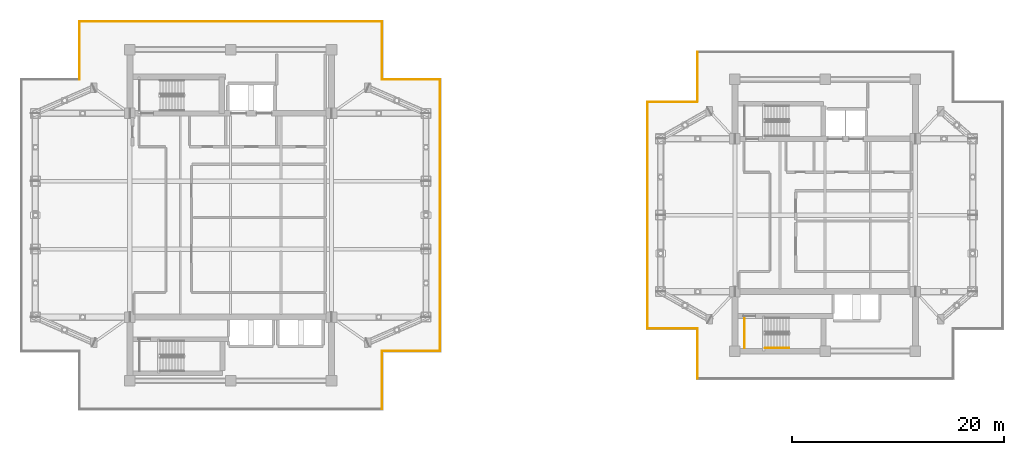
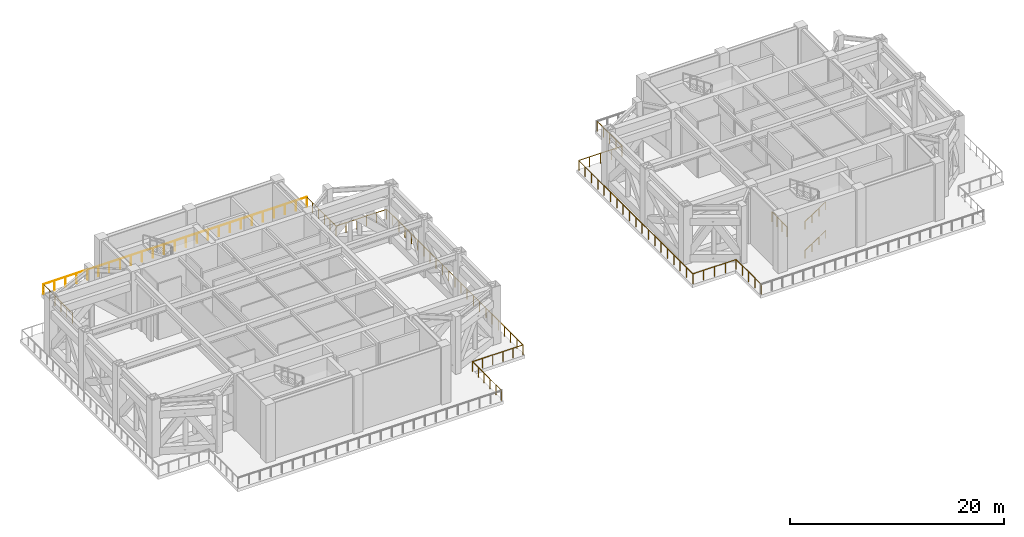
# One storey, part 15 of 18: 15 railings.
"""IFC4 building model written with IfcOpenShell, lengths in metres."""

from ifc_helpers import new_model, si_unit, direction, frame, origin, origin_2d, place, context, subcontext, project, spatial, circle, extrude, material, type_object, element, save


model = new_model("IFC4")

# Units and contexts
model_context = context("Model", 3, precision=1e-05, world=origin(), true_north=direction((0.0, 1.0)))
body_context = subcontext(model_context, "Body", "Model", "MODEL_VIEW")
ifc_project = project(units=[si_unit("LENGTHUNIT", "METRE"), si_unit("AREAUNIT", "SQUARE_METRE"), si_unit("VOLUMEUNIT", "CUBIC_METRE"), si_unit("PLANEANGLEUNIT", "RADIAN"), si_unit("MASSUNIT", "GRAM", prefix="KILO")], contexts=[model_context])

# Site, building, storey
site_placement = place(None, origin())
site = spatial("IfcSite", under=ifc_project, at=site_placement, CompositionType="ELEMENT")
building_placement = place(site_placement, origin())
building = spatial("IfcBuilding", under=site, at=building_placement, Name="Mirazonda Arch Towers", CompositionType="ELEMENT")
storey_placement = place(building_placement, frame((0.0, 0.0, 147.800048828125)))
storey = spatial("IfcBuildingStorey", under=building, at=storey_placement, Name="L42", CompositionType="ELEMENT", Elevation=147.800048828125)

# Railings
ifc_material = material(Name="Architectural Brushed Steel S355", Category="steel")
railing_type_1 = type_object("IfcRailingType", Name="GUARD-EXT-1150", PredefinedType="GUARDRAIL", material=ifc_material)
railing_1_placement = place(storey_placement, frame((34.7451171875, 9.75, 0.0)))
element("IfcRailing", 1, at=railing_1_placement, inside=storey, type_object=railing_type_1, Name="L42 T1 Open Wind-Portal Perimeter Guard 02", PredefinedType="GUARDRAIL", context=body_context, shape_type="SweptSolid", body=[
    extrude(circle(Radius=0.02392578125, at=origin_2d()), frame((0.0, 0.0, 1.1259765625), z_axis=(0.0, 1.0, 0.0), x_axis=(-1.0, 0.0, 0.0)), (0.0, 0.0, 1.0), 5.465087890625),
    extrude(circle(Radius=0.02099609375, at=origin_2d()), origin(), (0.0, 0.0, 1.0), 1.101806640625),
    extrude(circle(Radius=0.02099609375, at=origin_2d()), frame((0.0, 1.093017578125, 0.0)), (0.0, 0.0, 1.0), 1.101806640625),
    extrude(circle(Radius=0.02099609375, at=origin_2d()), frame((0.0, 2.18603515625, 0.0)), (0.0, 0.0, 1.0), 1.101806640625),
    extrude(circle(Radius=0.02099609375, at=origin_2d()), frame((0.0, 3.279052734375, 0.0)), (0.0, 0.0, 1.0), 1.101806640625),
    extrude(circle(Radius=0.02099609375, at=origin_2d()), frame((0.0, 4.3720703125, 0.0)), (0.0, 0.0, 1.0), 1.101806640625),
    extrude(circle(Radius=0.02099609375, at=origin_2d()), frame((0.0, 5.465087890625, 0.0)), (0.0, 0.0, 1.0), 1.101806640625),
])
railing_2_placement = place(storey_placement, frame((34.7451171875, 15.215087890625, 0.0)))
element("IfcRailing", 2, at=railing_2_placement, inside=storey, type_object=railing_type_1, Name="L42 T1 Open Wind-Portal Perimeter Guard 03", PredefinedType="GUARDRAIL", context=body_context, shape_type="SweptSolid", body=[
    extrude(circle(Radius=0.02392578125, at=origin_2d()), frame((0.0, 0.0, 1.1259765625), z_axis=(1.0, 0.0, 0.0), x_axis=(0.0, 1.0, 0.0)), (0.0, 0.0, 1.0), 5.46484375),
    extrude(circle(Radius=0.02099609375, at=origin_2d()), origin(), (0.0, 0.0, 1.0), 1.101806640625),
    extrude(circle(Radius=0.02099609375, at=origin_2d()), frame((1.093017578125, 0.0, 0.0)), (0.0, 0.0, 1.0), 1.101806640625),
    extrude(circle(Radius=0.02099609375, at=origin_2d()), frame((2.18603515625, 0.0, 0.0)), (0.0, 0.0, 1.0), 1.101806640625),
    extrude(circle(Radius=0.02099609375, at=origin_2d()), frame((3.27880859375, 0.0, 0.0)), (0.0, 0.0, 1.0), 1.101806640625),
    extrude(circle(Radius=0.02099609375, at=origin_2d()), frame((4.371826171875, 0.0, 0.0)), (0.0, 0.0, 1.0), 1.101806640625),
    extrude(circle(Radius=0.02099609375, at=origin_2d()), frame((5.46484375, 0.0, 0.0)), (0.0, 0.0, 1.0), 1.101806640625),
])
railing_3_placement = place(storey_placement, frame((40.2099609375, 15.215087890625, 0.0)))
element("IfcRailing", 3, at=railing_3_placement, inside=storey, type_object=railing_type_1, Name="L42 T1 Open Wind-Portal Perimeter Guard 04", PredefinedType="GUARDRAIL", context=body_context, shape_type="SweptSolid", body=[
    extrude(circle(Radius=0.02392578125, at=origin_2d()), frame((0.0, 0.0, 1.1259765625), z_axis=(0.0, 1.0, 0.0), x_axis=(-1.0, 0.0, 0.0)), (0.0, 0.0, 1.0), 25.56982421875),
    extrude(circle(Radius=0.02099609375, at=origin_2d()), origin(), (0.0, 0.0, 1.0), 1.101806640625),
    extrude(circle(Radius=0.02099609375, at=origin_2d()), frame((0.0, 1.162353515625, 0.0)), (0.0, 0.0, 1.0), 1.101806640625),
    extrude(circle(Radius=0.02099609375, at=origin_2d()), frame((0.0, 2.324462890625, 0.0)), (0.0, 0.0, 1.0), 1.101806640625),
    extrude(circle(Radius=0.02099609375, at=origin_2d()), frame((0.0, 3.48681640625, 0.0)), (0.0, 0.0, 1.0), 1.101806640625),
    extrude(circle(Radius=0.02099609375, at=origin_2d()), frame((0.0, 4.649169921875, 0.0)), (0.0, 0.0, 1.0), 1.101806640625),
    extrude(circle(Radius=0.02099609375, at=origin_2d()), frame((0.0, 5.811279296875, 0.0)), (0.0, 0.0, 1.0), 1.101806640625),
    extrude(circle(Radius=0.02099609375, at=origin_2d()), frame((0.0, 6.9736328125, 0.0)), (0.0, 0.0, 1.0), 1.101806640625),
    extrude(circle(Radius=0.02099609375, at=origin_2d()), frame((0.0, 8.1357421875, 0.0)), (0.0, 0.0, 1.0), 1.101806640625),
    extrude(circle(Radius=0.02099609375, at=origin_2d()), frame((0.0, 9.298095703125, 0.0)), (0.0, 0.0, 1.0), 1.101806640625),
    extrude(circle(Radius=0.02099609375, at=origin_2d()), frame((0.0, 10.46044921875, 0.0)), (0.0, 0.0, 1.0), 1.101806640625),
    extrude(circle(Radius=0.02099609375, at=origin_2d()), frame((0.0, 11.62255859375, 0.0)), (0.0, 0.0, 1.0), 1.101806640625),
    extrude(circle(Radius=0.02099609375, at=origin_2d()), frame((0.0, 12.784912109375, 0.0)), (0.0, 0.0, 1.0), 1.101806640625),
    extrude(circle(Radius=0.02099609375, at=origin_2d()), frame((0.0, 13.947265625, 0.0)), (0.0, 0.0, 1.0), 1.101806640625),
    extrude(circle(Radius=0.02099609375, at=origin_2d()), frame((0.0, 15.109375, 0.0)), (0.0, 0.0, 1.0), 1.101806640625),
    extrude(circle(Radius=0.02099609375, at=origin_2d()), frame((0.0, 16.271728515625, 0.0)), (0.0, 0.0, 1.0), 1.101806640625),
    extrude(circle(Radius=0.02099609375, at=origin_2d()), frame((0.0, 17.43408203125, 0.0)), (0.0, 0.0, 1.0), 1.101806640625),
    extrude(circle(Radius=0.02099609375, at=origin_2d()), frame((0.0, 18.59619140625, 0.0)), (0.0, 0.0, 1.0), 1.101806640625),
    extrude(circle(Radius=0.02099609375, at=origin_2d()), frame((0.0, 19.758544921875, 0.0)), (0.0, 0.0, 1.0), 1.101806640625),
    extrude(circle(Radius=0.02099609375, at=origin_2d()), frame((0.0, 20.920654296875, 0.0)), (0.0, 0.0, 1.0), 1.101806640625),
    extrude(circle(Radius=0.02099609375, at=origin_2d()), frame((0.0, 22.0830078125, 0.0)), (0.0, 0.0, 1.0), 1.101806640625),
    extrude(circle(Radius=0.02099609375, at=origin_2d()), frame((0.0, 23.245361328125, 0.0)), (0.0, 0.0, 1.0), 1.101806640625),
    extrude(circle(Radius=0.02099609375, at=origin_2d()), frame((0.0, 24.407470703125, 0.0)), (0.0, 0.0, 1.0), 1.101806640625),
    extrude(circle(Radius=0.02099609375, at=origin_2d()), frame((0.0, 25.56982421875, 0.0)), (0.0, 0.0, 1.0), 1.101806640625),
])
railing_4_placement = place(storey_placement, frame((40.2099609375, 40.784912109375, 0.0)))
element("IfcRailing", 4, at=railing_4_placement, inside=storey, type_object=railing_type_1, Name="L42 T1 Open Wind-Portal Perimeter Guard 05", PredefinedType="GUARDRAIL", context=body_context, shape_type="SweptSolid", body=[
    extrude(circle(Radius=0.02392578125, at=origin_2d()), frame((0.0, 0.0, 1.1259765625), z_axis=(-1.0, 0.0, 0.0), x_axis=(0.0, -1.0, 0.0)), (0.0, 0.0, 1.0), 5.46484375),
    extrude(circle(Radius=0.02099609375, at=origin_2d()), origin(), (0.0, 0.0, 1.0), 1.101806640625),
    extrude(circle(Radius=0.02099609375, at=origin_2d()), frame((-1.093017578125, 0.0, 0.0)), (0.0, 0.0, 1.0), 1.101806640625),
    extrude(circle(Radius=0.02099609375, at=origin_2d()), frame((-2.18603515625, 0.0, 0.0)), (0.0, 0.0, 1.0), 1.101806640625),
    extrude(circle(Radius=0.02099609375, at=origin_2d()), frame((-3.27880859375, 0.0, 0.0)), (0.0, 0.0, 1.0), 1.101806640625),
    extrude(circle(Radius=0.02099609375, at=origin_2d()), frame((-4.371826171875, 0.0, 0.0)), (0.0, 0.0, 1.0), 1.101806640625),
    extrude(circle(Radius=0.02099609375, at=origin_2d()), frame((-5.46484375, 0.0, 0.0)), (0.0, 0.0, 1.0), 1.101806640625),
])
railing_5_placement = place(storey_placement, frame((34.7451171875, 40.784912109375, 0.0)))
element("IfcRailing", 5, at=railing_5_placement, inside=storey, type_object=railing_type_1, Name="L42 T1 Open Wind-Portal Perimeter Guard 06", PredefinedType="GUARDRAIL", context=body_context, shape_type="SweptSolid", body=[
    extrude(circle(Radius=0.02392578125, at=origin_2d()), frame((0.0, 0.0, 1.1259765625), z_axis=(0.0, 1.0, 0.0), x_axis=(-1.0, 0.0, 0.0)), (0.0, 0.0, 1.0), 5.465087890625),
    extrude(circle(Radius=0.02099609375, at=origin_2d()), origin(), (0.0, 0.0, 1.0), 1.101806640625),
    extrude(circle(Radius=0.02099609375, at=origin_2d()), frame((0.0, 1.093017578125, 0.0)), (0.0, 0.0, 1.0), 1.101806640625),
    extrude(circle(Radius=0.02099609375, at=origin_2d()), frame((0.0, 2.18603515625, 0.0)), (0.0, 0.0, 1.0), 1.101806640625),
    extrude(circle(Radius=0.02099609375, at=origin_2d()), frame((0.0, 3.279052734375, 0.0)), (0.0, 0.0, 1.0), 1.101806640625),
    extrude(circle(Radius=0.02099609375, at=origin_2d()), frame((0.0, 4.3720703125, 0.0)), (0.0, 0.0, 1.0), 1.101806640625),
    extrude(circle(Radius=0.02099609375, at=origin_2d()), frame((0.0, 5.465087890625, 0.0)), (0.0, 0.0, 1.0), 1.101806640625),
])
railing_6_placement = place(storey_placement, frame((34.7451171875, 46.25, 0.0)))
element("IfcRailing", 6, at=railing_6_placement, inside=storey, type_object=railing_type_1, Name="L42 T1 Open Wind-Portal Perimeter Guard 07", PredefinedType="GUARDRAIL", context=body_context, shape_type="SweptSolid", body=[
    extrude(circle(Radius=0.02392578125, at=origin_2d()), frame((0.0, 0.0, 1.1259765625), z_axis=(-1.0, 0.0, 0.0), x_axis=(0.0, -1.0, 0.0)), (0.0, 0.0, 1.0), 28.490234375),
    extrude(circle(Radius=0.02099609375, at=origin_2d()), origin(), (0.0, 0.0, 1.0), 1.101806640625),
    extrude(circle(Radius=0.02099609375, at=origin_2d()), frame((-1.18701171875, 0.0, 0.0)), (0.0, 0.0, 1.0), 1.101806640625),
    extrude(circle(Radius=0.02099609375, at=origin_2d()), frame((-2.374267578125, 0.0, 0.0)), (0.0, 0.0, 1.0), 1.101806640625),
    extrude(circle(Radius=0.02099609375, at=origin_2d()), frame((-3.561279296875, 0.0, 0.0)), (0.0, 0.0, 1.0), 1.101806640625),
    extrude(circle(Radius=0.02099609375, at=origin_2d()), frame((-4.748291015625, 0.0, 0.0)), (0.0, 0.0, 1.0), 1.101806640625),
    extrude(circle(Radius=0.02099609375, at=origin_2d()), frame((-5.935546875, 0.0, 0.0)), (0.0, 0.0, 1.0), 1.101806640625),
    extrude(circle(Radius=0.02099609375, at=origin_2d()), frame((-7.12255859375, 0.0, 0.0)), (0.0, 0.0, 1.0), 1.101806640625),
    extrude(circle(Radius=0.02099609375, at=origin_2d()), frame((-8.3095703125, 0.0, 0.0)), (0.0, 0.0, 1.0), 1.101806640625),
    extrude(circle(Radius=0.02099609375, at=origin_2d()), frame((-9.496826171875, 0.0, 0.0)), (0.0, 0.0, 1.0), 1.101806640625),
    extrude(circle(Radius=0.02099609375, at=origin_2d()), frame((-10.683837890625, 0.0, 0.0)), (0.0, 0.0, 1.0), 1.101806640625),
    extrude(circle(Radius=0.02099609375, at=origin_2d()), frame((-11.870849609375, 0.0, 0.0)), (0.0, 0.0, 1.0), 1.101806640625),
    extrude(circle(Radius=0.02099609375, at=origin_2d()), frame((-13.05810546875, 0.0, 0.0)), (0.0, 0.0, 1.0), 1.101806640625),
    extrude(circle(Radius=0.02099609375, at=origin_2d()), frame((-14.2451171875, 0.0, 0.0)), (0.0, 0.0, 1.0), 1.101806640625),
    extrude(circle(Radius=0.02099609375, at=origin_2d()), frame((-15.43212890625, 0.0, 0.0)), (0.0, 0.0, 1.0), 1.101806640625),
    extrude(circle(Radius=0.02099609375, at=origin_2d()), frame((-16.619384765625, 0.0, 0.0)), (0.0, 0.0, 1.0), 1.101806640625),
    extrude(circle(Radius=0.02099609375, at=origin_2d()), frame((-17.806396484375, 0.0, 0.0)), (0.0, 0.0, 1.0), 1.101806640625),
    extrude(circle(Radius=0.02099609375, at=origin_2d()), frame((-18.993408203125, 0.0, 0.0)), (0.0, 0.0, 1.0), 1.101806640625),
    extrude(circle(Radius=0.02099609375, at=origin_2d()), frame((-20.1806640625, 0.0, 0.0)), (0.0, 0.0, 1.0), 1.101806640625),
    extrude(circle(Radius=0.02099609375, at=origin_2d()), frame((-21.36767578125, 0.0, 0.0)), (0.0, 0.0, 1.0), 1.101806640625),
    extrude(circle(Radius=0.02099609375, at=origin_2d()), frame((-22.5546875, 0.0, 0.0)), (0.0, 0.0, 1.0), 1.101806640625),
    extrude(circle(Radius=0.02099609375, at=origin_2d()), frame((-23.741943359375, 0.0, 0.0)), (0.0, 0.0, 1.0), 1.101806640625),
    extrude(circle(Radius=0.02099609375, at=origin_2d()), frame((-24.928955078125, 0.0, 0.0)), (0.0, 0.0, 1.0), 1.101806640625),
    extrude(circle(Radius=0.02099609375, at=origin_2d()), frame((-26.115966796875, 0.0, 0.0)), (0.0, 0.0, 1.0), 1.101806640625),
    extrude(circle(Radius=0.02099609375, at=origin_2d()), frame((-27.30322265625, 0.0, 0.0)), (0.0, 0.0, 1.0), 1.101806640625),
    extrude(circle(Radius=0.02099609375, at=origin_2d()), frame((-28.490234375, 0.0, 0.0)), (0.0, 0.0, 1.0), 1.101806640625),
])
railing_7_placement = place(storey_placement, frame((6.2548828125, 46.25, 0.0)))
element("IfcRailing", 7, at=railing_7_placement, inside=storey, type_object=railing_type_1, Name="L42 T1 Open Wind-Portal Perimeter Guard 08", PredefinedType="GUARDRAIL", context=body_context, shape_type="SweptSolid", body=[
    extrude(circle(Radius=0.02392578125, at=origin_2d()), frame((0.0, 0.0, 1.1259765625), z_axis=(0.0, -1.0, 0.0), x_axis=(1.0, 0.0, 0.0)), (0.0, 0.0, 1.0), 5.465087890625),
    extrude(circle(Radius=0.02099609375, at=origin_2d()), origin(), (0.0, 0.0, 1.0), 1.101806640625),
    extrude(circle(Radius=0.02099609375, at=origin_2d()), frame((0.0, -1.093017578125, 0.0)), (0.0, 0.0, 1.0), 1.101806640625),
    extrude(circle(Radius=0.02099609375, at=origin_2d()), frame((0.0, -2.18603515625, 0.0)), (0.0, 0.0, 1.0), 1.101806640625),
    extrude(circle(Radius=0.02099609375, at=origin_2d()), frame((0.0, -3.279052734375, 0.0)), (0.0, 0.0, 1.0), 1.101806640625),
    extrude(circle(Radius=0.02099609375, at=origin_2d()), frame((0.0, -4.3720703125, 0.0)), (0.0, 0.0, 1.0), 1.101806640625),
    extrude(circle(Radius=0.02099609375, at=origin_2d()), frame((0.0, -5.465087890625, 0.0)), (0.0, 0.0, 1.0), 1.101806640625),
])
railing_8_placement = place(storey_placement, frame((64.47265625, 43.37158203125, 0.0)))
element("IfcRailing", 8, at=railing_8_placement, inside=storey, type_object=railing_type_1, Name="L42 T2 Open Wind-Portal Perimeter Guard 08", PredefinedType="GUARDRAIL", context=body_context, shape_type="SweptSolid", body=[
    extrude(circle(Radius=0.02392578125, at=origin_2d()), frame((0.0, 0.0, 1.1259765625), z_axis=(0.0, -1.0, 0.0), x_axis=(1.0, 0.0, 0.0)), (0.0, 0.0, 1.0), 4.685302734375),
    extrude(circle(Radius=0.02099609375, at=origin_2d()), origin(), (0.0, 0.0, 1.0), 1.101806640625),
    extrude(circle(Radius=0.02099609375, at=origin_2d()), frame((0.0, -1.17138671875, 0.0)), (0.0, 0.0, 1.0), 1.101806640625),
    extrude(circle(Radius=0.02099609375, at=origin_2d()), frame((0.0, -2.3427734375, 0.0)), (0.0, 0.0, 1.0), 1.101806640625),
    extrude(circle(Radius=0.02099609375, at=origin_2d()), frame((0.0, -3.513916015625, 0.0)), (0.0, 0.0, 1.0), 1.101806640625),
    extrude(circle(Radius=0.02099609375, at=origin_2d()), frame((0.0, -4.685302734375, 0.0)), (0.0, 0.0, 1.0), 1.101806640625),
])
railing_9_placement = place(storey_placement, frame((64.47265625, 38.686279296875, 0.0)))
element("IfcRailing", 9, at=railing_9_placement, inside=storey, type_object=railing_type_1, Name="L42 T2 Open Wind-Portal Perimeter Guard 09", PredefinedType="GUARDRAIL", context=body_context, shape_type="SweptSolid", body=[
    extrude(circle(Radius=0.02392578125, at=origin_2d()), frame((0.0, 0.0, 1.1259765625), z_axis=(-1.0, 0.0, 0.0), x_axis=(0.0, -1.0, 0.0)), (0.0, 0.0, 1.0), 4.68505859375),
    extrude(circle(Radius=0.02099609375, at=origin_2d()), origin(), (0.0, 0.0, 1.0), 1.101806640625),
    extrude(circle(Radius=0.02099609375, at=origin_2d()), frame((-1.17138671875, 0.0, 0.0)), (0.0, 0.0, 1.0), 1.101806640625),
    extrude(circle(Radius=0.02099609375, at=origin_2d()), frame((-2.342529296875, 0.0, 0.0)), (0.0, 0.0, 1.0), 1.101806640625),
    extrude(circle(Radius=0.02099609375, at=origin_2d()), frame((-3.513671875, 0.0, 0.0)), (0.0, 0.0, 1.0), 1.101806640625),
    extrude(circle(Radius=0.02099609375, at=origin_2d()), frame((-4.68505859375, 0.0, 0.0)), (0.0, 0.0, 1.0), 1.101806640625),
])
railing_10_placement = place(storey_placement, frame((59.78759765625, 38.686279296875, 0.0)))
element("IfcRailing", 10, at=railing_10_placement, inside=storey, type_object=railing_type_1, Name="L42 T2 Open Wind-Portal Perimeter Guard 10", PredefinedType="GUARDRAIL", context=body_context, shape_type="SweptSolid", body=[
    extrude(circle(Radius=0.02392578125, at=origin_2d()), frame((0.0, 0.0, 1.1259765625), z_axis=(0.0, -1.0, 0.0), x_axis=(1.0, 0.0, 0.0)), (0.0, 0.0, 1.0), 21.37255859375),
    extrude(circle(Radius=0.02099609375, at=origin_2d()), origin(), (0.0, 0.0, 1.0), 1.101806640625),
    extrude(circle(Radius=0.02099609375, at=origin_2d()), frame((0.0, -1.187255859375, 0.0)), (0.0, 0.0, 1.0), 1.101806640625),
    extrude(circle(Radius=0.02099609375, at=origin_2d()), frame((0.0, -2.374755859375, 0.0)), (0.0, 0.0, 1.0), 1.101806640625),
    extrude(circle(Radius=0.02099609375, at=origin_2d()), frame((0.0, -3.56201171875, 0.0)), (0.0, 0.0, 1.0), 1.101806640625),
    extrude(circle(Radius=0.02099609375, at=origin_2d()), frame((0.0, -4.74951171875, 0.0)), (0.0, 0.0, 1.0), 1.101806640625),
    extrude(circle(Radius=0.02099609375, at=origin_2d()), frame((0.0, -5.936767578125, 0.0)), (0.0, 0.0, 1.0), 1.101806640625),
    extrude(circle(Radius=0.02099609375, at=origin_2d()), frame((0.0, -7.124267578125, 0.0)), (0.0, 0.0, 1.0), 1.101806640625),
    extrude(circle(Radius=0.02099609375, at=origin_2d()), frame((0.0, -8.3115234375, 0.0)), (0.0, 0.0, 1.0), 1.101806640625),
    extrude(circle(Radius=0.02099609375, at=origin_2d()), frame((0.0, -9.4990234375, 0.0)), (0.0, 0.0, 1.0), 1.101806640625),
    extrude(circle(Radius=0.02099609375, at=origin_2d()), frame((0.0, -10.686279296875, 0.0)), (0.0, 0.0, 1.0), 1.101806640625),
    extrude(circle(Radius=0.02099609375, at=origin_2d()), frame((0.0, -11.87353515625, 0.0)), (0.0, 0.0, 1.0), 1.101806640625),
    extrude(circle(Radius=0.02099609375, at=origin_2d()), frame((0.0, -13.06103515625, 0.0)), (0.0, 0.0, 1.0), 1.101806640625),
    extrude(circle(Radius=0.02099609375, at=origin_2d()), frame((0.0, -14.248291015625, 0.0)), (0.0, 0.0, 1.0), 1.101806640625),
    extrude(circle(Radius=0.02099609375, at=origin_2d()), frame((0.0, -15.435791015625, 0.0)), (0.0, 0.0, 1.0), 1.101806640625),
    extrude(circle(Radius=0.02099609375, at=origin_2d()), frame((0.0, -16.623046875, 0.0)), (0.0, 0.0, 1.0), 1.101806640625),
    extrude(circle(Radius=0.02099609375, at=origin_2d()), frame((0.0, -17.810546875, 0.0)), (0.0, 0.0, 1.0), 1.101806640625),
    extrude(circle(Radius=0.02099609375, at=origin_2d()), frame((0.0, -18.997802734375, 0.0)), (0.0, 0.0, 1.0), 1.101806640625),
    extrude(circle(Radius=0.02099609375, at=origin_2d()), frame((0.0, -20.185302734375, 0.0)), (0.0, 0.0, 1.0), 1.101806640625),
    extrude(circle(Radius=0.02099609375, at=origin_2d()), frame((0.0, -21.37255859375, 0.0)), (0.0, 0.0, 1.0), 1.101806640625),
])
railing_11_placement = place(storey_placement, frame((59.78759765625, 17.313720703125, 0.0)))
element("IfcRailing", 11, at=railing_11_placement, inside=storey, type_object=railing_type_1, Name="L42 T2 Open Wind-Portal Perimeter Guard 11", PredefinedType="GUARDRAIL", context=body_context, shape_type="SweptSolid", body=[
    extrude(circle(Radius=0.02392578125, at=origin_2d()), frame((0.0, 0.0, 1.1259765625), z_axis=(1.0, 0.0, 0.0), x_axis=(0.0, 1.0, 0.0)), (0.0, 0.0, 1.0), 4.68505859375),
    extrude(circle(Radius=0.02099609375, at=origin_2d()), origin(), (0.0, 0.0, 1.0), 1.101806640625),
    extrude(circle(Radius=0.02099609375, at=origin_2d()), frame((1.17138671875, 0.0, 0.0)), (0.0, 0.0, 1.0), 1.101806640625),
    extrude(circle(Radius=0.02099609375, at=origin_2d()), frame((2.342529296875, 0.0, 0.0)), (0.0, 0.0, 1.0), 1.101806640625),
    extrude(circle(Radius=0.02099609375, at=origin_2d()), frame((3.513671875, 0.0, 0.0)), (0.0, 0.0, 1.0), 1.101806640625),
    extrude(circle(Radius=0.02099609375, at=origin_2d()), frame((4.68505859375, 0.0, 0.0)), (0.0, 0.0, 1.0), 1.101806640625),
])
railing_12_placement = place(storey_placement, frame((64.47265625, 17.313720703125, 0.0)))
element("IfcRailing", 12, at=railing_12_placement, inside=storey, type_object=railing_type_1, Name="L42 T2 Open Wind-Portal Perimeter Guard 12", PredefinedType="GUARDRAIL", context=body_context, shape_type="SweptSolid", body=[
    extrude(circle(Radius=0.02392578125, at=origin_2d()), frame((0.0, 0.0, 1.1259765625), z_axis=(0.0, -1.0, 0.0), x_axis=(1.0, 0.0, 0.0)), (0.0, 0.0, 1.0), 4.685302734375),
    extrude(circle(Radius=0.02099609375, at=origin_2d()), origin(), (0.0, 0.0, 1.0), 1.101806640625),
    extrude(circle(Radius=0.02099609375, at=origin_2d()), frame((0.0, -1.17138671875, 0.0)), (0.0, 0.0, 1.0), 1.101806640625),
    extrude(circle(Radius=0.02099609375, at=origin_2d()), frame((0.0, -2.3427734375, 0.0)), (0.0, 0.0, 1.0), 1.101806640625),
    extrude(circle(Radius=0.02099609375, at=origin_2d()), frame((0.0, -3.513916015625, 0.0)), (0.0, 0.0, 1.0), 1.101806640625),
    extrude(circle(Radius=0.02099609375, at=origin_2d()), frame((0.0, -4.685302734375, 0.0)), (0.0, 0.0, 1.0), 1.101806640625),
])
railing_type_2 = type_object("IfcRailingType", Name="GUARD-STAIR-1120", PredefinedType="GUARDRAIL", material=ifc_material)
railing_13_placement = place(storey_placement, frame((68.909912109375, 15.469970703125, 3.300048828125)))
element("IfcRailing", 13, at=railing_13_placement, inside=storey, type_object=railing_type_2, Name="L42 ST-T2S stair guard 9", PredefinedType="GUARDRAIL", context=body_context, shape_type="SweptSolid", body=[
    extrude(circle(Radius=0.02392578125, at=origin_2d()), frame((0.0, 0.0, 1.1259765625), z_axis=(0.0, 1.0, 0.0), x_axis=(-1.0, 0.0, 0.0)), (0.0, 0.0, 1.0), 2.840087890625),
    extrude(circle(Radius=0.02099609375, at=origin_2d()), origin(), (0.0, 0.0, 1.0), 1.101806640625),
    extrude(circle(Radius=0.02099609375, at=origin_2d()), frame((0.0, 0.94677734375, 0.0)), (0.0, 0.0, 1.0), 1.101806640625),
    extrude(circle(Radius=0.02099609375, at=origin_2d()), frame((0.0, 1.893310546875, 0.0)), (0.0, 0.0, 1.0), 1.101806640625),
    extrude(circle(Radius=0.02099609375, at=origin_2d()), frame((0.0, 2.840087890625, 0.0)), (0.0, 0.0, 1.0), 1.101806640625),
])
railing_type_3 = type_object("IfcRailingType", Name="HANDRAIL-915", PredefinedType="HANDRAIL", material=ifc_material)
for number, where, name in (
    (14, (70.85009765625, 15.469970703125, 0.183349609375), "L42 ST-T2S stair handrail 1"),
    (15, (70.85009765625, 15.469970703125, 3.4833984375), "L42 ST-T2S stair handrail 3"),
):
    element("IfcRailing", number, at=place(storey_placement, frame(where)), inside=storey, type_object=railing_type_3, Name=name, PredefinedType="HANDRAIL", context=body_context, shape_type="SweptSolid", body=[
        extrude(circle(Radius=0.02392578125, at=origin_2d()), frame((0.0, 0.0, 0.8759765625), z_axis=(0.836636935527, 0.0, 0.547757827979), x_axis=(0.0, 1.0, 0.0)), (0.0, 0.0, 1.0), 2.677490234375),
        extrude(circle(Radius=0.02099609375, at=origin_2d()), origin(), (0.0, 0.0, 1.0), 0.851806640625),
        extrude(circle(Radius=0.02099609375, at=origin_2d()), frame((0.74658203125, 0.0, 0.48876953125)), (0.0, 0.0, 1.0), 0.851806640625),
        extrude(circle(Radius=0.02099609375, at=origin_2d()), frame((1.493408203125, 0.0, 0.977783203125)), (0.0, 0.0, 1.0), 0.851806640625),
        extrude(circle(Radius=0.02099609375, at=origin_2d()), frame((2.239990234375, 0.0, 1.466552734375)), (0.0, 0.0, 1.0), 0.851806640625),
    ])

save(model, "model.ifc")
